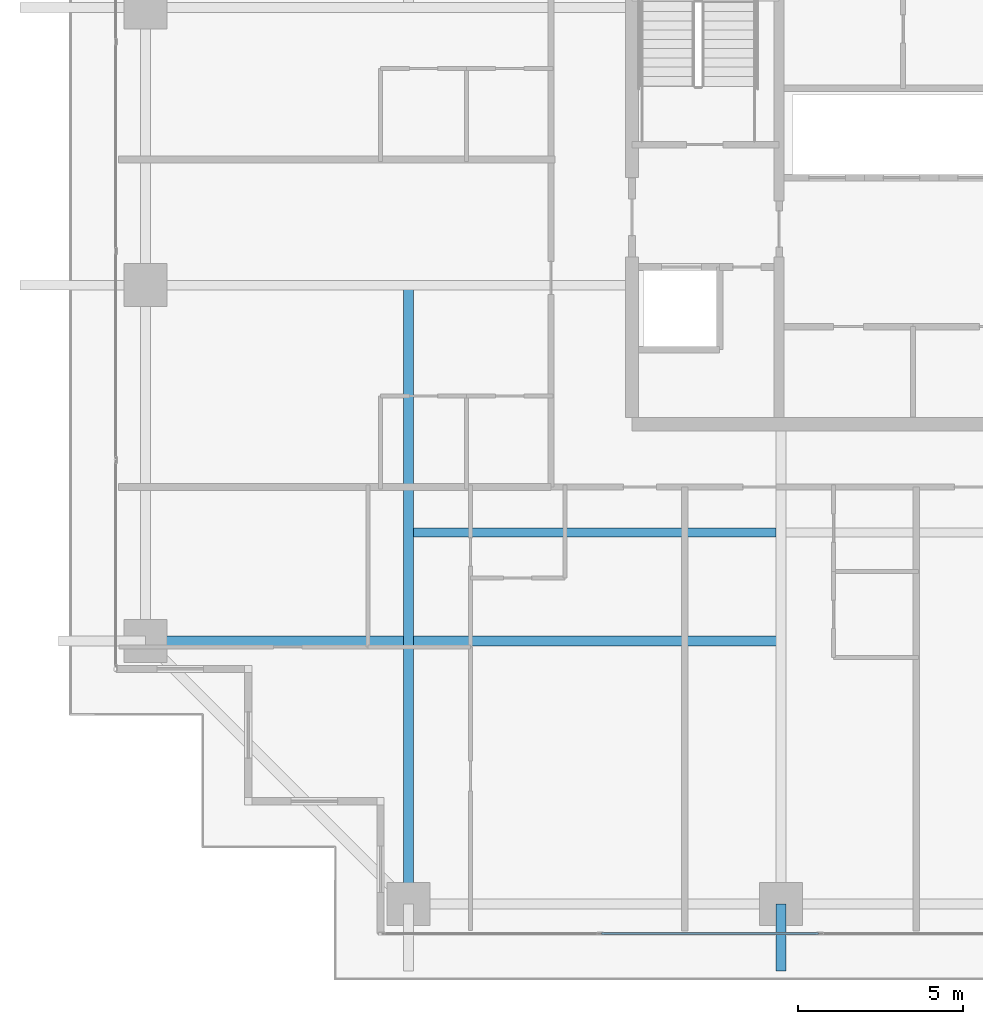
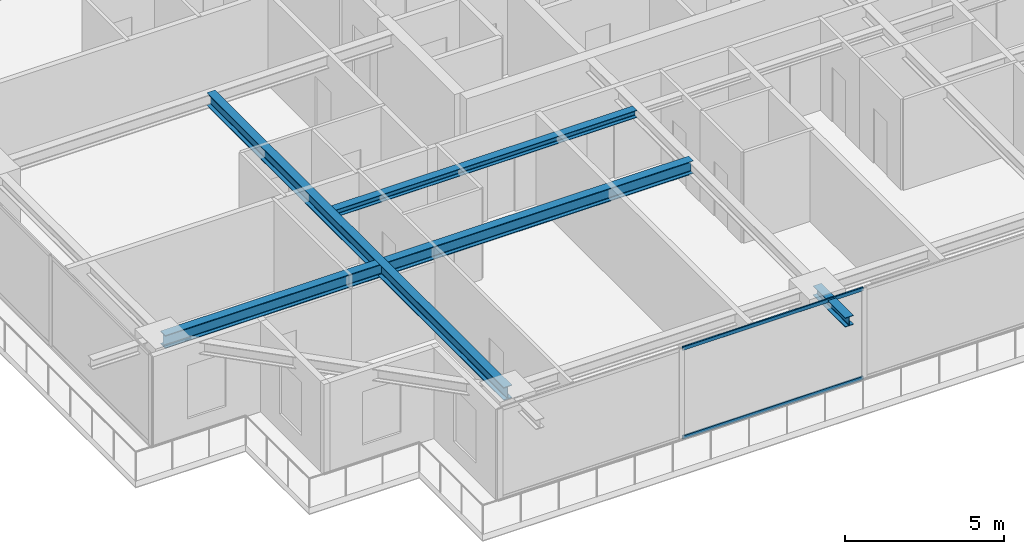
# One storey, part 4 of 33: 4 beams, 2 members, 1 element without a shape of its own.
"""IFC4 building model written with IfcOpenShell, lengths in metres."""

from ifc_helpers import new_model, si_unit, direction, frame, origin, origin_2d, place, context, subcontext, project, spatial, hollow_rectangle, i_section, extrude, source, transform, mapped, material, layer, layer_set, material_profile, profile_set, type_object, element, aggregate, save


model = new_model("IFC4")

# Units and contexts
model_context = context("Model", 3, precision=1e-05, world=origin(), true_north=direction((0.0, 1.0)))
body_context = subcontext(model_context, "Body", "Model", "MODEL_VIEW")
ifc_project = project(units=[si_unit("LENGTHUNIT", "METRE"), si_unit("AREAUNIT", "SQUARE_METRE"), si_unit("VOLUMEUNIT", "CUBIC_METRE"), si_unit("PLANEANGLEUNIT", "RADIAN"), si_unit("MASSUNIT", "GRAM", prefix="KILO")], contexts=[model_context])

# Site, building, storey
site_placement = place(None, origin())
site = spatial("IfcSite", under=ifc_project, at=site_placement, CompositionType="ELEMENT")
building_placement = place(site_placement, origin())
building = spatial("IfcBuilding", under=site, at=building_placement, Name="Serunith Strait Residences", CompositionType="ELEMENT")
storey_placement = place(building_placement, frame((0.0, 0.0, 150.14990234375)))
storey = spatial("IfcBuildingStorey", under=building, at=storey_placement, Name="L37", CompositionType="ELEMENT", Elevation=150.14990234375)

# Beams
ifc_material_1 = material(Name="Steel S355J2", Category="steel")
ifc_material_profile_1 = material_profile(ifc_material_1, i_section(OverallWidth=0.300048828125, OverallDepth=0.5, WebThickness=0.014404296875, FlangeThickness=0.028076171875, FilletRadius=0.027099609375, at=origin_2d()), Name="HEB 500")
ifc_profile_set_1 = profile_set([ifc_material_profile_1], Name="Steel S355J2")
beam_type_1 = type_object("IfcBeamType", Name="BM-HEB500", PredefinedType="BEAM", material=ifc_profile_set_1)
shared_shape_1 = source(origin(), body_context, "Body", "SweptSolid", [
    extrude(i_section(OverallWidth=0.300048828125, OverallDepth=0.5, WebThickness=0.014404296875, FlangeThickness=0.028076171875, FilletRadius=0.027099609375, at=origin_2d()), origin(), (0.0, 0.0, 1.0), 18.699951171875),
])
beam_1_placement = place(storey_placement, frame((16.64990234375, 21.0, 3.237060546875), z_axis=(0.0, -1.0, 0.0), x_axis=(1.0, 0.0, 0.0)))
element("IfcBeam", 1, at=beam_1_placement, inside=storey, type_object=beam_type_1, Name="L37 Orthogonal Corner Girder TC-S1", PredefinedType="BEAM", context=body_context, shape_type="MappedRepresentation", body=[
    mapped(shared_shape_1, transform((0.0, 0.0, 0.0), scale=1.0)),
])
shared_shape_2 = source(origin(), body_context, "Body", "SweptSolid", [
    extrude(i_section(OverallWidth=0.300048828125, OverallDepth=0.5, WebThickness=0.014404296875, FlangeThickness=0.028076171875, FilletRadius=0.027099609375, at=origin_2d()), origin(), (0.0, 0.0, 1.0), 19.199951171875),
])
beam_2_placement = place(storey_placement, frame((27.89990234375, 10.25, 3.237060546875), z_axis=(-1.0, 0.0, 0.0), x_axis=(0.0, -1.0, 0.0)))
element("IfcBeam", 2, at=beam_2_placement, inside=storey, type_object=beam_type_1, Name="L37 Orthogonal Corner Girder TC-W1", PredefinedType="BEAM", context=body_context, shape_type="MappedRepresentation", body=[
    mapped(shared_shape_2, transform((0.0, 0.0, 0.0), scale=1.0)),
])
ifc_material_profile_2 = material_profile(ifc_material_1, i_section(OverallWidth=0.280029296875, OverallDepth=0.280029296875, WebThickness=0.010498046875, FlangeThickness=0.01806640625, FilletRadius=0.02392578125, at=origin_2d()), Name="HEB 280")
ifc_profile_set_2 = profile_set([ifc_material_profile_2], Name="Steel S355J2")
beam_type_2 = type_object("IfcBeamType", Name="BM-HEB280", PredefinedType="JOIST", material=ifc_profile_set_2)
shared_shape_3 = source(origin(), body_context, "Body", "SweptSolid", [
    extrude(i_section(OverallWidth=0.280029296875, OverallDepth=0.280029296875, WebThickness=0.010498046875, FlangeThickness=0.01806640625, FilletRadius=0.02392578125, at=origin_2d()), origin(), (0.0, 0.0, 1.0), 10.949951171875),
])
beam_3_placement = place(storey_placement, frame((16.800048828125, 13.52490234375, 3.34716796875), z_axis=(1.0, 0.0, 0.0), x_axis=(0.0, 1.0, 0.0)))
element("IfcBeam", 3, at=beam_3_placement, inside=storey, type_object=beam_type_2, Name="L37 Composite Floor Joist 01", PredefinedType="JOIST", context=body_context, shape_type="MappedRepresentation", body=[
    mapped(shared_shape_3, transform((0.0, 0.0, 0.0), scale=1.0)),
])
ifc_material_profile_3 = material_profile(ifc_material_1, i_section(OverallWidth=0.300048828125, OverallDepth=0.360107421875, WebThickness=0.012451171875, FlangeThickness=0.0224609375, FilletRadius=0.027099609375, at=origin_2d()), Name="HEB 360")
ifc_profile_set_3 = profile_set([ifc_material_profile_3], Name="Steel S355J2")
beam_type_3 = type_object("IfcBeamType", Name="BM-HEB360", PredefinedType="BEAM", material=ifc_profile_set_3)
shared_shape_4 = source(origin(), body_context, "Body", "SweptSolid", [
    extrude(i_section(OverallWidth=0.300048828125, OverallDepth=0.360107421875, WebThickness=0.012451171875, FlangeThickness=0.0224609375, FilletRadius=0.027099609375, at=origin_2d()), origin(), (0.0, 0.0, 1.0), 2.030029296875),
])
beam_4_placement = place(storey_placement, frame((27.89990234375, 2.300048828125, 3.277099609375), z_axis=(0.0, -1.0, 0.0), x_axis=(1.0, 0.0, 0.0)))
element("IfcBeam", 4, at=beam_4_placement, inside=storey, type_object=beam_type_3, Name="L38 Cantilevered Balcony Rib TC-S2", PredefinedType="BEAM", context=body_context, shape_type="MappedRepresentation", body=[
    mapped(shared_shape_4, transform((0.0, 0.0, 0.0), scale=1.0)),
])

# Curtain wall, members
ifc_material_2 = material(Name="Pale-Champagne Anodised Aluminium", Category="aluminium")
ifc_layer = layer(ifc_material_2, 0.199951171875, Name="Pale-Champagne Anodised Aluminium")
ifc_layer_set = layer_set([ifc_layer], Name="Pale-Champagne Anodised Aluminium")
curtain_wall_type = type_object("IfcCurtainWallType", Name="CW-SYS2", PredefinedType="NOTDEFINED", material=ifc_layer_set)
curtain_wall_placement = place(storey_placement, origin())
curtain_wall = element("IfcCurtainWall", 5, at=curtain_wall_placement, inside=storey, type_object=curtain_wall_type, Name="L37 S Unitised Fritted Curtain Wall", PredefinedType="NOTDEFINED")
ifc_material_profile_4 = material_profile(ifc_material_2, hollow_rectangle(XDim=0.06005859375, YDim=0.139892578125, WallThickness=0.00341796875, InnerFilletRadius=0.00537109375, OuterFilletRadius=0.0087890625, at=origin_2d()), Name="ALU 140x60x3.5")
ifc_profile_set_4 = profile_set([ifc_material_profile_4], Name="Pale-Champagne Anodised Aluminium")
member_type = type_object("IfcMemberType", Name="CW-SYS2-TRAN", PredefinedType="USERDEFINED", material=ifc_profile_set_4)
shared_shape_5 = source(origin(), body_context, "Body", "SweptSolid", [
    extrude(hollow_rectangle(XDim=0.06005859375, YDim=0.139892578125, WallThickness=0.00341796875, InnerFilletRadius=0.00537109375, OuterFilletRadius=0.0087890625, at=origin_2d()), origin(), (0.0, 0.0, 1.0), 6.56982421875),
])
member_1_placement = place(storey_placement, frame((22.47509765625, 1.39990234375, 0.030029296875), z_axis=(1.0, 0.0, 0.0), x_axis=(0.0, 1.0, 0.0)))
member_1 = element("IfcMember", 6, at=member_1_placement, type_object=member_type, Name="CW-2 transom 2.1", ObjectType="TRANSOM", PredefinedType="USERDEFINED", context=body_context, shape_type="MappedRepresentation", body=[
    mapped(shared_shape_5, transform((0.0, 0.0, 0.0), scale=1.0)),
])
member_2_placement = place(storey_placement, frame((22.47509765625, 1.39990234375, 3.445068359375), z_axis=(1.0, 0.0, 0.0), x_axis=(0.0, 1.0, 0.0)))
member_2 = element("IfcMember", 7, at=member_2_placement, type_object=member_type, Name="CW-2 transom 2.2", ObjectType="TRANSOM", PredefinedType="USERDEFINED", context=body_context, shape_type="MappedRepresentation", body=[
    mapped(shared_shape_5, transform((0.0, 0.0, 0.0), scale=1.0)),
])
aggregate(curtain_wall, [member_1, member_2])

save(model, "model.ifc")
